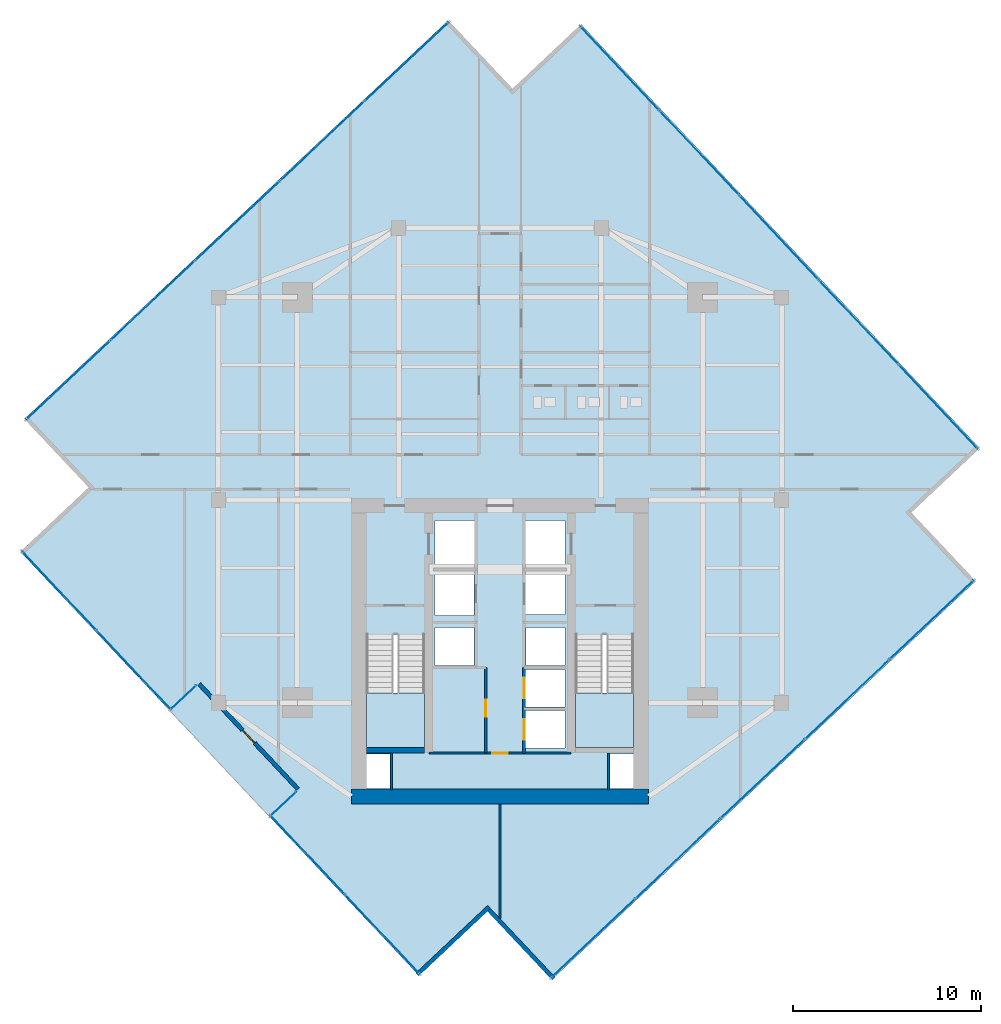
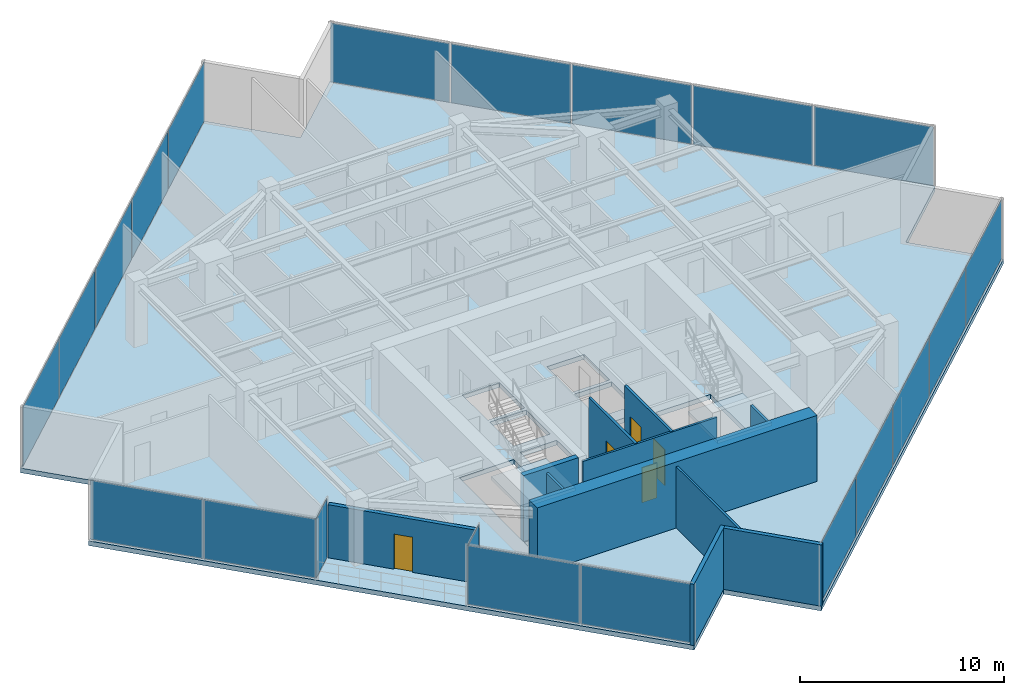
# One storey, part 20 of 24: 21 plates, 11 walls, 5 doors, 3 slabs, 5 openings, 9 elements without a shape of their own.
"""IFC4 building model written with IfcOpenShell, lengths in metres."""

from ifc_helpers import new_model, si_unit, direction, frame, frame_2d, origin, origin_2d, place, context, subcontext, project, spatial, polyline, rectangle, outline, extrude, source, transform, mapped, material, layer, layer_set, type_object, type_shapes, element, fill, aggregate, save


model = new_model("IFC4")

# Units and contexts
model_context = context("Model", 3, precision=1e-05, world=origin(), true_north=direction((0.0, 1.0)))
body_context = subcontext(model_context, "Body", "Model", "MODEL_VIEW")
ifc_project = project(units=[si_unit("LENGTHUNIT", "METRE"), si_unit("AREAUNIT", "SQUARE_METRE"), si_unit("VOLUMEUNIT", "CUBIC_METRE"), si_unit("PLANEANGLEUNIT", "RADIAN"), si_unit("MASSUNIT", "GRAM", prefix="KILO")], contexts=[model_context])

# Site, building, storey
site_placement = place(None, origin())
site = spatial("IfcSite", under=ifc_project, at=site_placement, CompositionType="ELEMENT")
building_placement = place(site_placement, origin())
building = spatial("IfcBuilding", under=site, at=building_placement, Name="Krantzveldt Concourse Tower", CompositionType="ELEMENT")
storey_placement = place(building_placement, frame((0.0, 0.0, 246.800048828125)))
storey = spatial("IfcBuildingStorey", under=building, at=storey_placement, Name="L60", CompositionType="ELEMENT", Elevation=246.800048828125)

# Stair, slab
ifc_material_1 = material(Name="Precast concrete C40/50", Category="concrete")
stair_type = type_object("IfcStairType", Name="STR-CORE-DOGLEG", PredefinedType="HALF_TURN_STAIR", material=ifc_material_1)
stair_1_placement = place(storey_placement, origin())
stair_1 = element("IfcStair", 1, at=stair_1_placement, inside=storey, type_object=stair_type, Name="L60 Protected Escape Stair ST-1", PredefinedType="HALF_TURN_STAIR")
ifc_layer_1 = layer(ifc_material_1, 0.199951171875, Name="Precast concrete C40/50", Category="concrete")
ifc_layer_set_1 = layer_set([ifc_layer_1], Name="Precast concrete C40/50 (SL-LANDING-200)")
slab_type_1 = type_object("IfcSlabType", Name="SL-LANDING-200", PredefinedType="LANDING", material=ifc_layer_set_1)
slab_1_placement = place(storey_placement, frame((0.0, 0.0, 1.77490234375)))
slab_1 = element("IfcSlab", 2, at=slab_1_placement, type_object=slab_type_1, Name="ST-1 landing 1", PredefinedType="LANDING", context=body_context, shape_type="SweptSolid", body=[
    extrude(outline(polyline([(28.8798828125, 16.4150390625), (28.8798828125, 13.52001953125), (31.97998046875, 13.52001953125), (31.97998046875, 16.4150390625), (28.8798828125, 16.4150390625)])), origin(), (0.0, 0.0, 1.0), 0.199951171875),
])
aggregate(stair_1, [slab_1])

stair_2_placement = place(storey_placement, origin())
stair_2 = element("IfcStair", 3, at=stair_2_placement, inside=storey, type_object=stair_type, Name="L60 Protected Escape Stair ST-2", PredefinedType="HALF_TURN_STAIR")
slab_2_placement = place(storey_placement, frame((0.0, 0.0, 1.77490234375)))
slab_2 = element("IfcSlab", 4, at=slab_2_placement, type_object=slab_type_1, Name="ST-2 landing 1", PredefinedType="LANDING", context=body_context, shape_type="SweptSolid", body=[
    extrude(outline(polyline([(40.02001953125, 16.4150390625), (40.02001953125, 13.52001953125), (43.1201171875, 13.52001953125), (43.1201171875, 16.4150390625), (40.02001953125, 16.4150390625)])), origin(), (0.0, 0.0, 1.0), 0.199951171875),
])
aggregate(stair_2, [slab_2])

# Slab
ifc_material_2 = material(Name="Concrete C40/50", Category="concrete")
ifc_layer_2 = layer(ifc_material_2, 0.280029296875, Name="Concrete C40/50", Category="concrete")
ifc_layer_set_2 = layer_set([ifc_layer_2], Name="Concrete C40/50 (SL-SL-TER280)")
slab_type_2 = type_object("IfcSlabType", Name="SL-SL-TER280", PredefinedType="FLOOR", material=ifc_layer_set_2)
slab_3_placement = place(storey_placement, frame((0.0, 0.0, -0.280029296875)))
element("IfcSlab", 5, at=slab_3_placement, inside=storey, type_object=slab_type_2, Name="SL-L60-MAIN", PredefinedType="FLOOR", context=body_context, shape_type="SweptSolid", body=[
    extrude(outline(polyline([(36.66943359375, 48.610107421875), (33.243408203125, 52.251953125), (10.6640625, 31.01123046875), (14.08984375, 27.369384765625), (10.447998046875, 23.943603515625), (31.688720703125, 1.364013671875), (35.33056640625, 4.789794921875), (38.756591796875, 1.14794921875), (61.3359375, 22.388671875), (57.91015625, 26.030517578125), (61.552001953125, 29.45654296875), (40.311279296875, 52.035888671875), (36.66943359375, 48.610107421875)]), holes=[polyline([(28.8798828125, 19.547607421875), (28.8798828125, 13.52001953125), (31.97998046875, 13.52001953125), (31.97998046875, 19.547607421875), (28.8798828125, 19.547607421875)]), polyline([(40.02001953125, 19.547607421875), (40.02001953125, 13.52001953125), (43.1201171875, 13.52001953125), (43.1201171875, 19.547607421875), (40.02001953125, 19.547607421875)]), polyline([(32.550048828125, 23.10009765625), (34.64990234375, 23.10009765625), (34.64990234375, 25.60009765625), (32.550048828125, 25.60009765625), (32.550048828125, 23.10009765625)]), polyline([(37.35009765625, 23.10009765625), (39.449951171875, 23.10009765625), (39.449951171875, 25.60009765625), (37.35009765625, 25.60009765625), (37.35009765625, 23.10009765625)]), polyline([(37.35009765625, 20.60009765625), (39.449951171875, 20.60009765625), (39.449951171875, 22.89990234375), (37.35009765625, 22.89990234375), (37.35009765625, 20.60009765625)]), polyline([(37.35009765625, 13.47998046875), (39.449951171875, 13.47998046875), (39.449951171875, 15.47998046875), (37.35009765625, 15.47998046875), (37.35009765625, 13.47998046875)]), polyline([(37.35009765625, 15.679931640625), (39.449951171875, 15.679931640625), (39.449951171875, 17.679931640625), (37.35009765625, 17.679931640625), (37.35009765625, 15.679931640625)]), polyline([(32.550048828125, 20.550048828125), (34.6201171875, 20.550048828125), (34.6201171875, 22.89990234375), (32.550048828125, 22.89990234375), (32.550048828125, 20.550048828125)]), polyline([(32.550048828125, 17.8798828125), (34.6201171875, 17.8798828125), (34.6201171875, 19.919921875), (32.550048828125, 19.919921875), (32.550048828125, 17.8798828125)]), polyline([(37.3798828125, 17.8798828125), (39.449951171875, 17.8798828125), (39.449951171875, 19.919921875), (37.3798828125, 19.919921875), (37.3798828125, 17.8798828125)]), polyline([(28.8798828125, 11.320068359375), (30.139892578125, 11.320068359375), (30.139892578125, 13.159912109375), (28.8798828125, 13.159912109375), (28.8798828125, 11.320068359375)]), polyline([(41.860107421875, 11.320068359375), (43.1201171875, 11.320068359375), (43.1201171875, 13.159912109375), (41.860107421875, 13.159912109375), (41.860107421875, 11.320068359375)])]), origin(), (0.0, 0.0, 1.0), 0.280029296875),
])

# Curtain wall, plate
ifc_material_3 = material(Name="Anodised aluminium 6063-T6", Category="aluminium")
curtain_wall_type_1 = type_object("IfcCurtainWallType", Name="CW6", PredefinedType="USERDEFINED", material=ifc_material_3)
curtain_wall_1_placement = place(storey_placement, origin())
curtain_wall_1 = element("IfcCurtainWall", 6, at=curtain_wall_1_placement, inside=storey, type_object=curtain_wall_type_1, Name="CW-L60-TR05", ObjectType="UNITISED CURTAIN WALL", PredefinedType="USERDEFINED")
ifc_material_4 = material(Name="Bronze-tinted laminated low-E IGU glass", Category="glass")
ifc_layer_3 = layer(ifc_material_4, 0.031982421875, Name="Bronze-tinted laminated low-E IGU glass", Category="glass")
ifc_layer_set_3 = layer_set([ifc_layer_3], Name="Bronze-tinted laminated low-E IGU glass (CW-GLZ-32)")
plate_type = type_object("IfcPlateType", Name="CW-GLZ-32", PredefinedType="CURTAIN_PANEL", material=ifc_layer_set_3)
shared_shape_1 = source(origin(), body_context, "Body", "SweptSolid", [
    extrude(rectangle(XDim=1.860107421875, YDim=0.031982421875, at=origin_2d()), origin(), (0.0, 0.0, 1.0), 3.530029296875),
])
plate_1_placement = place(storey_placement, frame((19.13134765625, 16.17236328125, 0.06982421875), z_axis=(0.0, 0.0, 1.0), x_axis=(0.728372006928, 0.685181887913, 0.0)))
plate_1 = element("IfcPlate", 7, at=plate_1_placement, type_object=plate_type, Name="CW-TERR panel 1.1", PredefinedType="CURTAIN_PANEL", context=body_context, shape_type="MappedRepresentation", body=[
    mapped(shared_shape_1, transform((0.0, 0.0, 0.0), x_axis=(1.0, 0.0, 0.0), y_axis=(0.0, 1.0, 0.0), z_axis=(0.0, 0.0, 1.0), scale=1.0)),
])
aggregate(curtain_wall_1, [plate_1])

curtain_wall_2_placement = place(storey_placement, origin())
curtain_wall_2 = element("IfcCurtainWall", 8, at=curtain_wall_2_placement, inside=storey, type_object=curtain_wall_type_1, Name="CW-L60-TR07", ObjectType="UNITISED CURTAIN WALL", PredefinedType="USERDEFINED")
plate_2_placement = place(storey_placement, frame((24.462158203125, 10.505615234375, 0.06982421875), z_axis=(0.0, 0.0, 1.0), x_axis=(-0.728372006928, -0.685181887913, 0.0)))
plate_2 = element("IfcPlate", 9, at=plate_2_placement, type_object=plate_type, Name="CW-TERR panel 1.1", PredefinedType="CURTAIN_PANEL", context=body_context, shape_type="MappedRepresentation", body=[
    mapped(shared_shape_1, transform((0.0, 0.0, 0.0), x_axis=(1.0, 0.0, 0.0), y_axis=(0.0, 1.0, 0.0), z_axis=(0.0, 0.0, 1.0), scale=1.0)),
])
aggregate(curtain_wall_2, [plate_2])

# Curtain wall, plates
curtain_wall_type_2 = type_object("IfcCurtainWallType", Name="CW3", PredefinedType="USERDEFINED", material=ifc_material_3)
curtain_wall_3_placement = place(storey_placement, origin())
curtain_wall_3 = element("IfcCurtainWall", 10, at=curtain_wall_3_placement, inside=storey, type_object=curtain_wall_type_2, Name="CW-L60-F01", ObjectType="UNITISED CURTAIN WALL", PredefinedType="USERDEFINED")
shared_shape_2 = source(origin(), body_context, "Body", "SweptSolid", [
    extrude(rectangle(XDim=6.094970703125, YDim=0.031982421875, at=origin_2d()), origin(), (0.0, 0.0, 1.0), 3.530029296875),
])
plate_3_placement = place(storey_placement, frame((31.034423828125, 50.05029296875, 0.06982421875), z_axis=(0.0, 0.0, 1.0), x_axis=(-0.728371012348, -0.685182945184, 0.0)))
plate_3 = element("IfcPlate", 11, at=plate_3_placement, type_object=plate_type, Name="CW-Z34 panel 1.1", PredefinedType="CURTAIN_PANEL", context=body_context, shape_type="MappedRepresentation", body=[
    mapped(shared_shape_2, transform((0.0, 0.0, 0.0), x_axis=(1.0, 0.0, 0.0), y_axis=(0.0, 1.0, 0.0), z_axis=(0.0, 0.0, 1.0), scale=1.0)),
])
plate_4_placement = place(storey_placement, frame((12.996337890625, 33.081787109375, 0.06982421875), z_axis=(0.0, 0.0, 1.0), x_axis=(-0.728371012348, -0.685182945184, 0.0)))
plate_4 = element("IfcPlate", 12, at=plate_4_placement, type_object=plate_type, Name="CW-Z34 panel 5.1", PredefinedType="CURTAIN_PANEL", context=body_context, shape_type="MappedRepresentation", body=[
    mapped(shared_shape_2, transform((0.0, 0.0, 0.0), x_axis=(1.0, 0.0, 0.0), y_axis=(0.0, 1.0, 0.0), z_axis=(0.0, 0.0, 1.0), scale=1.0)),
])

curtain_wall_4_placement = place(storey_placement, origin())
curtain_wall_4 = element("IfcCurtainWall", 13, at=curtain_wall_4_placement, inside=storey, type_object=curtain_wall_type_2, Name="CW-L60-F11", ObjectType="UNITISED CURTAIN WALL", PredefinedType="USERDEFINED")
plate_5_placement = place(storey_placement, frame((40.965576171875, 3.349609375, 0.06982421875), z_axis=(0.0, 0.0, 1.0), x_axis=(0.728371012348, 0.685182945184, 0.0)))
plate_5 = element("IfcPlate", 14, at=plate_5_placement, type_object=plate_type, Name="CW-Z34 panel 1.1", PredefinedType="CURTAIN_PANEL", context=body_context, shape_type="MappedRepresentation", body=[
    mapped(shared_shape_2, transform((0.0, 0.0, 0.0), x_axis=(1.0, 0.0, 0.0), y_axis=(0.0, 1.0, 0.0), z_axis=(0.0, 0.0, 1.0), scale=1.0)),
])
plate_6_placement = place(storey_placement, frame((59.003662109375, 20.318115234375, 0.06982421875), z_axis=(0.0, 0.0, 1.0), x_axis=(0.728371012348, 0.685182945184, 0.0)))
plate_6 = element("IfcPlate", 15, at=plate_6_placement, type_object=plate_type, Name="CW-Z34 panel 5.1", PredefinedType="CURTAIN_PANEL", context=body_context, shape_type="MappedRepresentation", body=[
    mapped(shared_shape_2, transform((0.0, 0.0, 0.0), x_axis=(1.0, 0.0, 0.0), y_axis=(0.0, 1.0, 0.0), z_axis=(0.0, 0.0, 1.0), scale=1.0)),
])

curtain_wall_5_placement = place(storey_placement, origin())
curtain_wall_5 = element("IfcCurtainWall", 16, at=curtain_wall_5_placement, inside=storey, type_object=curtain_wall_type_2, Name="CW-L60-F14", ObjectType="UNITISED CURTAIN WALL", PredefinedType="USERDEFINED")
plate_7_placement = place(storey_placement, frame((59.350341796875, 31.66552734375, 0.06982421875), z_axis=(0.0, 0.0, 1.0), x_axis=(-0.685182945184, 0.728371012348, 0.0)))
plate_7 = element("IfcPlate", 17, at=plate_7_placement, type_object=plate_type, Name="CW-Z34 panel 1.1", PredefinedType="CURTAIN_PANEL", context=body_context, shape_type="MappedRepresentation", body=[
    mapped(shared_shape_2, transform((0.0, 0.0, 0.0), x_axis=(1.0, 0.0, 0.0), y_axis=(0.0, 1.0, 0.0), z_axis=(0.0, 0.0, 1.0), scale=1.0)),
])
plate_8_placement = place(storey_placement, frame((42.3818359375, 49.70361328125, 0.06982421875), z_axis=(0.0, 0.0, 1.0), x_axis=(-0.685182945184, 0.728371012348, 0.0)))
plate_8 = element("IfcPlate", 18, at=plate_8_placement, type_object=plate_type, Name="CW-Z34 panel 5.1", PredefinedType="CURTAIN_PANEL", context=body_context, shape_type="MappedRepresentation", body=[
    mapped(shared_shape_2, transform((0.0, 0.0, 0.0), x_axis=(1.0, 0.0, 0.0), y_axis=(0.0, 1.0, 0.0), z_axis=(0.0, 0.0, 1.0), scale=1.0)),
])

# Plate
shared_shape_3 = source(origin(), body_context, "Body", "SweptSolid", [
    extrude(rectangle(XDim=6.1298828125, YDim=0.031982421875, at=origin_2d()), origin(), (0.0, 0.0, 1.0), 3.530029296875),
])
plate_9_placement = place(storey_placement, frame((26.53125, 45.814208984375, 0.06982421875), z_axis=(0.0, 0.0, 1.0), x_axis=(-0.728371012348, -0.685182945184, 0.0)))
plate_9 = element("IfcPlate", 19, at=plate_9_placement, type_object=plate_type, Name="CW-Z34 panel 2.1", PredefinedType="CURTAIN_PANEL", context=body_context, shape_type="MappedRepresentation", body=[
    mapped(shared_shape_3, transform((0.0, 0.0, 0.0), x_axis=(1.0, 0.0, 0.0), y_axis=(0.0, 1.0, 0.0), z_axis=(0.0, 0.0, 1.0), scale=1.0)),
])

plate_10_placement = place(storey_placement, frame((22.015380859375, 41.566162109375, 0.06982421875), z_axis=(0.0, 0.0, 1.0), x_axis=(-0.728371012348, -0.685182945184, 0.0)))
plate_10 = element("IfcPlate", 20, at=plate_10_placement, type_object=plate_type, Name="CW-Z34 panel 3.1", PredefinedType="CURTAIN_PANEL", context=body_context, shape_type="MappedRepresentation", body=[
    mapped(shared_shape_3, transform((0.0, 0.0, 0.0), x_axis=(1.0, 0.0, 0.0), y_axis=(0.0, 1.0, 0.0), z_axis=(0.0, 0.0, 1.0), scale=1.0)),
])

plate_11_placement = place(storey_placement, frame((17.49951171875, 37.31787109375, 0.06982421875), z_axis=(0.0, 0.0, 1.0), x_axis=(-0.728371012348, -0.685182945184, 0.0)))
plate_11 = element("IfcPlate", 21, at=plate_11_placement, type_object=plate_type, Name="CW-Z34 panel 4.1", PredefinedType="CURTAIN_PANEL", context=body_context, shape_type="MappedRepresentation", body=[
    mapped(shared_shape_3, transform((0.0, 0.0, 0.0), x_axis=(1.0, 0.0, 0.0), y_axis=(0.0, 1.0, 0.0), z_axis=(0.0, 0.0, 1.0), scale=1.0)),
])

aggregate(curtain_wall_3, [plate_3, plate_9, plate_10, plate_11, plate_4])

plate_12_placement = place(storey_placement, frame((45.46875, 7.585693359375, 0.06982421875), z_axis=(0.0, 0.0, 1.0), x_axis=(0.728371012348, 0.685182945184, 0.0)))
plate_12 = element("IfcPlate", 22, at=plate_12_placement, type_object=plate_type, Name="CW-Z34 panel 2.1", PredefinedType="CURTAIN_PANEL", context=body_context, shape_type="MappedRepresentation", body=[
    mapped(shared_shape_3, transform((0.0, 0.0, 0.0), x_axis=(1.0, 0.0, 0.0), y_axis=(0.0, 1.0, 0.0), z_axis=(0.0, 0.0, 1.0), scale=1.0)),
])

plate_13_placement = place(storey_placement, frame((49.984619140625, 11.833984375, 0.06982421875), z_axis=(0.0, 0.0, 1.0), x_axis=(0.728371012348, 0.685182945184, 0.0)))
plate_13 = element("IfcPlate", 23, at=plate_13_placement, type_object=plate_type, Name="CW-Z34 panel 3.1", PredefinedType="CURTAIN_PANEL", context=body_context, shape_type="MappedRepresentation", body=[
    mapped(shared_shape_3, transform((0.0, 0.0, 0.0), x_axis=(1.0, 0.0, 0.0), y_axis=(0.0, 1.0, 0.0), z_axis=(0.0, 0.0, 1.0), scale=1.0)),
])

plate_14_placement = place(storey_placement, frame((54.50048828125, 16.08203125, 0.06982421875), z_axis=(0.0, 0.0, 1.0), x_axis=(0.728371012348, 0.685182945184, 0.0)))
plate_14 = element("IfcPlate", 24, at=plate_14_placement, type_object=plate_type, Name="CW-Z34 panel 4.1", PredefinedType="CURTAIN_PANEL", context=body_context, shape_type="MappedRepresentation", body=[
    mapped(shared_shape_3, transform((0.0, 0.0, 0.0), x_axis=(1.0, 0.0, 0.0), y_axis=(0.0, 1.0, 0.0), z_axis=(0.0, 0.0, 1.0), scale=1.0)),
])

aggregate(curtain_wall_4, [plate_5, plate_12, plate_13, plate_14, plate_6])

plate_15_placement = place(storey_placement, frame((55.1142578125, 36.168701171875, 0.06982421875), z_axis=(0.0, 0.0, 1.0), x_axis=(-0.685182945184, 0.728371012348, 0.0)))
plate_15 = element("IfcPlate", 25, at=plate_15_placement, type_object=plate_type, Name="CW-Z34 panel 2.1", PredefinedType="CURTAIN_PANEL", context=body_context, shape_type="MappedRepresentation", body=[
    mapped(shared_shape_3, transform((0.0, 0.0, 0.0), x_axis=(1.0, 0.0, 0.0), y_axis=(0.0, 1.0, 0.0), z_axis=(0.0, 0.0, 1.0), scale=1.0)),
])

plate_16_placement = place(storey_placement, frame((50.865966796875, 40.6845703125, 0.06982421875), z_axis=(0.0, 0.0, 1.0), x_axis=(-0.685182945184, 0.728371012348, 0.0)))
plate_16 = element("IfcPlate", 26, at=plate_16_placement, type_object=plate_type, Name="CW-Z34 panel 3.1", PredefinedType="CURTAIN_PANEL", context=body_context, shape_type="MappedRepresentation", body=[
    mapped(shared_shape_3, transform((0.0, 0.0, 0.0), x_axis=(1.0, 0.0, 0.0), y_axis=(0.0, 1.0, 0.0), z_axis=(0.0, 0.0, 1.0), scale=1.0)),
])

plate_17_placement = place(storey_placement, frame((46.617919921875, 45.200439453125, 0.06982421875), z_axis=(0.0, 0.0, 1.0), x_axis=(-0.685182945184, 0.728371012348, 0.0)))
plate_17 = element("IfcPlate", 27, at=plate_17_placement, type_object=plate_type, Name="CW-Z34 panel 4.1", PredefinedType="CURTAIN_PANEL", context=body_context, shape_type="MappedRepresentation", body=[
    mapped(shared_shape_3, transform((0.0, 0.0, 0.0), x_axis=(1.0, 0.0, 0.0), y_axis=(0.0, 1.0, 0.0), z_axis=(0.0, 0.0, 1.0), scale=1.0)),
])

aggregate(curtain_wall_5, [plate_7, plate_15, plate_16, plate_17, plate_8])

# Curtain wall, plates
curtain_wall_6_placement = place(storey_placement, origin())
curtain_wall_6 = element("IfcCurtainWall", 28, at=curtain_wall_6_placement, inside=storey, type_object=curtain_wall_type_2, Name="CW-L60-F04", ObjectType="UNITISED CURTAIN WALL", PredefinedType="USERDEFINED")
shared_shape_4 = source(origin(), body_context, "Body", "SweptSolid", [
    extrude(rectangle(XDim=5.7451171875, YDim=0.031982421875, at=origin_2d()), origin(), (0.0, 0.0, 1.0), 3.530029296875),
])
type_shapes(plate_type, [shared_shape_1, shared_shape_2, shared_shape_3, shared_shape_4])
plate_18_placement = place(storey_placement, frame((12.52978515625, 21.862060546875, 0.06982421875), z_axis=(0.0, 0.0, 1.0), x_axis=(0.685182960414, -0.728370998021, 0.0)))
plate_18 = element("IfcPlate", 29, at=plate_18_placement, type_object=plate_type, Name="CW-Z34 panel 1.1", PredefinedType="CURTAIN_PANEL", context=body_context, shape_type="MappedRepresentation", body=[
    mapped(shared_shape_4, transform((0.0, 0.0, 0.0), x_axis=(1.0, 0.0, 0.0), y_axis=(0.0, 1.0, 0.0), z_axis=(0.0, 0.0, 1.0), scale=1.0)),
])
plate_19_placement = place(storey_placement, frame((16.51416015625, 17.62646484375, 0.06982421875), z_axis=(0.0, 0.0, 1.0), x_axis=(0.685182960414, -0.728370998021, 0.0)))
plate_19 = element("IfcPlate", 30, at=plate_19_placement, type_object=plate_type, Name="CW-Z34 panel 2.1", PredefinedType="CURTAIN_PANEL", context=body_context, shape_type="MappedRepresentation", body=[
    mapped(shared_shape_4, transform((0.0, 0.0, 0.0), x_axis=(1.0, 0.0, 0.0), y_axis=(0.0, 1.0, 0.0), z_axis=(0.0, 0.0, 1.0), scale=1.0)),
])
aggregate(curtain_wall_6, [plate_18, plate_19])

curtain_wall_7_placement = place(storey_placement, origin())
curtain_wall_7 = element("IfcCurtainWall", 31, at=curtain_wall_7_placement, inside=storey, type_object=curtain_wall_type_2, Name="CW-L60-F08", ObjectType="UNITISED CURTAIN WALL", PredefinedType="USERDEFINED")
plate_20_placement = place(storey_placement, frame((25.75390625, 7.804443359375, 0.06982421875), z_axis=(0.0, 0.0, 1.0), x_axis=(0.685182960414, -0.728370998021, 0.0)))
plate_20 = element("IfcPlate", 32, at=plate_20_placement, type_object=plate_type, Name="CW-Z34 panel 1.1", PredefinedType="CURTAIN_PANEL", context=body_context, shape_type="MappedRepresentation", body=[
    mapped(shared_shape_4, transform((0.0, 0.0, 0.0), x_axis=(1.0, 0.0, 0.0), y_axis=(0.0, 1.0, 0.0), z_axis=(0.0, 0.0, 1.0), scale=1.0)),
])
plate_21_placement = place(storey_placement, frame((29.738037109375, 3.56884765625, 0.06982421875), z_axis=(0.0, 0.0, 1.0), x_axis=(0.685182960414, -0.728370998021, 0.0)))
plate_21 = element("IfcPlate", 33, at=plate_21_placement, type_object=plate_type, Name="CW-Z34 panel 2.1", PredefinedType="CURTAIN_PANEL", context=body_context, shape_type="MappedRepresentation", body=[
    mapped(shared_shape_4, transform((0.0, 0.0, 0.0), x_axis=(1.0, 0.0, 0.0), y_axis=(0.0, 1.0, 0.0), z_axis=(0.0, 0.0, 1.0), scale=1.0)),
])
aggregate(curtain_wall_7, [plate_20, plate_21])

# Wall, opening, door
ifc_layer_4 = layer(ifc_material_3, 0.219970703125, Name="Anodised aluminium 6063-T6", Category="aluminium")
ifc_layer_set_4 = layer_set([ifc_layer_4], Name="Anodised aluminium 6063-T6 (WL-EXT-NOTCH220)")
wall_type_1 = type_object("IfcWallType", Name="WL-EXT-NOTCH220", PredefinedType="ELEMENTEDWALL", material=ifc_layer_set_4)
wall_1_placement = place(storey_placement, frame((25.23974609375, 11.298828125, 0.0), z_axis=(0.0, 0.0, 1.0), x_axis=(-0.685172559646, 0.728380781946, 0.0)))
wall_1 = element("IfcWall", 34, at=wall_1_placement, inside=storey, type_object=wall_type_1, Name="EW-L60-TSLOT", PredefinedType="ELEMENTEDWALL", context=body_context, shape_type="SweptSolid", body=[
    extrude(rectangle(XDim=7.690185546875, YDim=0.219970703125, at=frame_2d((3.84521484375, 0.0))), origin(), (0.0, 0.0, 1.0), 3.179931640625),
])
opening_1_placement = place(wall_1_placement, frame((3.3701171875, 0.0, 0.0)))
opening_1 = element("IfcOpeningElement", 35, at=opening_1_placement, cuts=wall_1, Name="Opening D-EX95", PredefinedType="OPENING", context=body_context, shape_type="SweptSolid", body=[
    extrude(rectangle(XDim=0.949951171875, YDim=2.10009765625, at=frame_2d((0.47509765625, 1.050048828125))), frame((0.0, 0.1201171875, 0.0), z_axis=(0.0, -1.0, 0.0), x_axis=(1.0, 0.0, 0.0)), (0.0, 0.0, 1.0), 0.239990234375),
])
door_type_1 = type_object("IfcDoorType", Name="DR-EXT-950", OperationType="SINGLE_SWING_LEFT", PredefinedType="DOOR", material=ifc_material_3)
door_1_placement = place(opening_1_placement, origin())
door_1 = element("IfcDoor", 36, at=door_1_placement, inside=storey, type_object=door_type_1, Name="DR-L60-TERR", OperationType="SINGLE_SWING_LEFT", OverallHeight=2.10009765625, OverallWidth=0.949951171875, PredefinedType="DOOR", context=body_context, shape_type="SweptSolid", body=[
    extrude(rectangle(XDim=0.949951171875, YDim=2.10009765625, at=frame_2d((0.47509765625, 1.050048828125))), frame((0.0, 0.02490234375, 0.0), z_axis=(0.0, -1.0, 0.0), x_axis=(1.0, 0.0, 0.0)), (0.0, 0.0, 1.0), 0.050048828125),
])
fill(opening_1, door_1)

# Walls
wall_2_placement = place(storey_placement, frame((31.59521484375, 1.427001953125, 0.0), z_axis=(0.0, 0.0, 1.0), x_axis=(0.728374884992, 0.685178828418, 0.0)))
element("IfcWall", 37, at=wall_2_placement, inside=storey, type_object=wall_type_1, Name="EW-L60-NCH09", PredefinedType="ELEMENTEDWALL", context=body_context, shape_type="SweptSolid", body=[
    extrude(rectangle(XDim=5.244873046875, YDim=0.219970703125, at=frame_2d((2.62255859375, 0.0))), origin(), (0.0, 0.0, 1.0), 3.669921875),
])
wall_3_placement = place(storey_placement, frame((35.41064453125, 4.865234375, 0.0), z_axis=(0.0, 0.0, 1.0), x_axis=(0.685205552999, -0.728349744381, 0.0)))
element("IfcWall", 38, at=wall_3_placement, inside=storey, type_object=wall_type_1, Name="EW-L60-NCH10", PredefinedType="ELEMENTEDWALL", context=body_context, shape_type="SweptSolid", body=[
    extrude(rectangle(XDim=5.02490234375, YDim=0.219970703125, at=frame_2d((2.512451171875, 0.0))), origin(), (0.0, 0.0, 1.0), 3.669921875),
])

# Wall, opening, door
ifc_material_5 = material(Name="Fire-rated gypsum plasterboard on steel stud", Category="steel")
ifc_layer_5 = layer(ifc_material_5, 0.1201171875, Name="Fire-rated gypsum plasterboard on steel stud", Category="steel")
ifc_layer_set_5 = layer_set([ifc_layer_5], Name="Fire-rated gypsum plasterboard on steel stud (WL-PART-120)")
wall_type_2 = type_object("IfcWallType", Name="WL-PART-120", PredefinedType="PARTITIONING", material=ifc_layer_set_5)
wall_4_placement = place(storey_placement, frame((32.2099609375, 13.219970703125, 0.0), z_axis=(0.0, 0.0, 1.0), x_axis=(1.0, 0.0, 0.0)))
wall_4 = element("IfcWall", 39, at=wall_4_placement, inside=storey, type_object=wall_type_2, Name="WP-L60-CS2H", PredefinedType="PARTITIONING", context=body_context, shape_type="SweptSolid", body=[
    extrude(rectangle(XDim=7.580078125, YDim=0.1201171875, at=frame_2d((3.7900390625, 0.0))), origin(), (0.0, 0.0, 1.0), 3.669921875),
])
opening_2_placement = place(wall_4_placement, frame((3.364990234375, 0.0, 0.0)))
opening_2 = element("IfcOpeningElement", 40, at=opening_2_placement, cuts=wall_4, Name="Opening D-IN085", PredefinedType="OPENING", context=body_context, shape_type="SweptSolid", body=[
    extrude(rectangle(XDim=0.85009765625, YDim=2.10009765625, at=frame_2d((0.425048828125, 1.050048828125))), frame((0.0, 0.070068359375, 0.0), z_axis=(0.0, -1.0, 0.0), x_axis=(1.0, 0.0, 0.0)), (0.0, 0.0, 1.0), 0.14013671875),
])
ifc_material_6 = material(Name="Hardwood timber", Category="wood")
door_type_2 = type_object("IfcDoorType", Name="DR-INT-850", OperationType="SINGLE_SWING_LEFT", PredefinedType="DOOR", material=ifc_material_6)
door_2_placement = place(opening_2_placement, origin())
door_2 = element("IfcDoor", 41, at=door_2_placement, inside=storey, type_object=door_type_2, Name="DR-L60-CSC1", OperationType="SINGLE_SWING_RIGHT", OverallHeight=2.10009765625, OverallWidth=0.85009765625, PredefinedType="DOOR", context=body_context, shape_type="SweptSolid", body=[
    extrude(rectangle(XDim=0.85009765625, YDim=2.10009765625, at=frame_2d((0.425048828125, 1.050048828125))), frame((0.0, 0.02490234375, 0.0), z_axis=(0.0, -1.0, 0.0), x_axis=(1.0, 0.0, 0.0)), (0.0, 0.0, 1.0), 0.050048828125),
])
fill(opening_2, door_2)

# Wall
wall_5_placement = place(storey_placement, frame((36.0, 4.40673828125, 0.0), z_axis=(0.0, 0.0, 1.0), x_axis=(0.0, 1.0, 0.0)))
element("IfcWall", 42, at=wall_5_placement, inside=storey, type_object=wall_type_2, Name="WP-L60-SMID", PredefinedType="PARTITIONING", context=body_context, shape_type="SweptSolid", body=[
    extrude(rectangle(XDim=6.09326171875, YDim=0.1201171875, at=frame_2d((3.046630859375, 0.0))), origin(), (0.0, 0.0, 1.0), 3.669921875),
])

# Wall, opening, door
ifc_layer_6 = layer(ifc_material_5, 0.139892578125, Name="Fire-rated gypsum plasterboard on steel stud", Category="steel")
ifc_layer_set_6 = layer_set([ifc_layer_6], Name="Fire-rated gypsum plasterboard on steel stud (WL-PART-FR140)")
wall_type_3 = type_object("IfcWallType", Name="WL-PART-FR140", PredefinedType="PARTITIONING", material=ifc_layer_set_6)
wall_6_placement = place(storey_placement, frame((35.25, 13.219970703125, 0.0), z_axis=(0.0, 0.0, 1.0), x_axis=(0.0, 1.0, 0.0)))
wall_6 = element("IfcWall", 43, at=wall_6_placement, inside=storey, type_object=wall_type_3, Name="WP-L60-RECW", PredefinedType="PARTITIONING", context=body_context, shape_type="SweptSolid", body=[
    extrude(rectangle(XDim=4.56005859375, YDim=0.139892578125, at=frame_2d((2.280029296875, 0.0))), origin(), (0.0, 0.0, 1.0), 3.669921875),
])
opening_3_placement = place(wall_6_placement, frame((1.929931640625, 0.0, 0.0)))
opening_3 = element("IfcOpeningElement", 44, at=opening_3_placement, cuts=wall_6, Name="Opening D-FD090", PredefinedType="OPENING", context=body_context, shape_type="SweptSolid", body=[
    extrude(rectangle(XDim=0.89990234375, YDim=2.10009765625, at=frame_2d((0.449951171875, 1.050048828125))), frame((0.0, 0.080078125, 0.0), z_axis=(0.0, -1.0, 0.0), x_axis=(1.0, 0.0, 0.0)), (0.0, 0.0, 1.0), 0.159912109375),
])
door_type_3 = type_object("IfcDoorType", Name="DR-FD60-900", OperationType="SINGLE_SWING_LEFT", PredefinedType="DOOR", material=ifc_material_6)
door_3_placement = place(opening_3_placement, origin())
door_3 = element("IfcDoor", 45, at=door_3_placement, inside=storey, type_object=door_type_3, Name="DR-L60-RECW", OperationType="SINGLE_SWING_LEFT", OverallHeight=2.10009765625, OverallWidth=0.89990234375, PredefinedType="DOOR", context=body_context, shape_type="SweptSolid", body=[
    extrude(rectangle(XDim=0.89990234375, YDim=2.10009765625, at=frame_2d((0.449951171875, 1.050048828125))), frame((0.0, 0.02490234375, 0.0), z_axis=(0.0, -1.0, 0.0), x_axis=(1.0, 0.0, 0.0)), (0.0, 0.0, 1.0), 0.050048828125),
])
fill(opening_3, door_3)

# Wall, openings, doors
wall_7_placement = place(storey_placement, frame((37.280029296875, 13.219970703125, 0.0), z_axis=(0.0, 0.0, 1.0), x_axis=(0.0, 1.0, 0.0)))
wall_7 = element("IfcWall", 46, at=wall_7_placement, inside=storey, type_object=wall_type_3, Name="WP-L60-SHSE", PredefinedType="PARTITIONING", context=body_context, shape_type="SweptSolid", body=[
    extrude(rectangle(XDim=4.56005859375, YDim=0.139892578125, at=frame_2d((2.280029296875, 0.0))), origin(), (0.0, 0.0, 1.0), 3.669921875),
])
opening_4_placement = place(wall_7_placement, frame((0.7099609375, 0.0, 0.0)))
opening_4 = element("IfcOpeningElement", 47, at=opening_4_placement, cuts=wall_7, Name="Opening LD", PredefinedType="OPENING", context=body_context, shape_type="SweptSolid", body=[
    extrude(rectangle(XDim=1.10009765625, YDim=2.14990234375, at=frame_2d((0.550048828125, 1.074951171875))), frame((0.0, 0.080078125, 0.0), z_axis=(0.0, -1.0, 0.0), x_axis=(1.0, 0.0, 0.0)), (0.0, 0.0, 1.0), 0.159912109375),
])
opening_5_placement = place(wall_7_placement, frame((2.909912109375, 0.0, 0.0)))
opening_5 = element("IfcOpeningElement", 48, at=opening_5_placement, cuts=wall_7, Name="Opening LD", PredefinedType="OPENING", context=body_context, shape_type="SweptSolid", body=[
    extrude(rectangle(XDim=1.10009765625, YDim=2.14990234375, at=frame_2d((0.550048828125, 1.074951171875))), frame((0.0, 0.080078125, 0.0), z_axis=(0.0, -1.0, 0.0), x_axis=(1.0, 0.0, 0.0)), (0.0, 0.0, 1.0), 0.159912109375),
])
ifc_material_7 = material(Name="Stainless steel 316L", Category="steel")
door_type_4 = type_object("IfcDoorType", Name="DR-SLIDE-LD1100", OperationType="DOUBLE_DOOR_SLIDING", PredefinedType="DOOR", material=ifc_material_7)
door_4_placement = place(opening_4_placement, origin())
door_4 = element("IfcDoor", 49, at=door_4_placement, inside=storey, type_object=door_type_4, Name="LD-L60-PM1", OperationType="DOUBLE_DOOR_SLIDING", OverallHeight=2.14990234375, OverallWidth=1.10009765625, PredefinedType="DOOR", context=body_context, shape_type="SweptSolid", body=[
    extrude(rectangle(XDim=1.10009765625, YDim=2.14990234375, at=frame_2d((0.550048828125, 1.074951171875))), frame((0.0, 0.02490234375, 0.0), z_axis=(0.0, -1.0, 0.0), x_axis=(1.0, 0.0, 0.0)), (0.0, 0.0, 1.0), 0.050048828125),
])
fill(opening_4, door_4)
door_5_placement = place(opening_5_placement, origin())
door_5 = element("IfcDoor", 50, at=door_5_placement, inside=storey, type_object=door_type_4, Name="LD-L60-PM2", OperationType="DOUBLE_DOOR_SLIDING", OverallHeight=2.14990234375, OverallWidth=1.10009765625, PredefinedType="DOOR", context=body_context, shape_type="SweptSolid", body=[
    extrude(rectangle(XDim=1.10009765625, YDim=2.14990234375, at=frame_2d((0.550048828125, 1.074951171875))), frame((0.0, 0.02490234375, 0.0), z_axis=(0.0, -1.0, 0.0), x_axis=(1.0, 0.0, 0.0)), (0.0, 0.0, 1.0), 0.050048828125),
])
fill(opening_5, door_5)

# Walls
for number, where, z_axis, x_axis, name in (
    (51, (30.219970703125, 11.25, 0.0), (0.0, 0.0, 1.0), (0.0, 1.0, 0.0), "WP-L60-RSW"),
    (52, (41.780029296875, 11.25, 0.0), (0.0, 0.0, 1.0), (0.0, 1.0, 0.0), "WP-L60-RSE"),
):
    element("IfcWall", number, at=place(storey_placement, frame(where, z_axis=z_axis, x_axis=x_axis)), inside=storey, type_object=wall_type_3, Name=name, PredefinedType="PARTITIONING", context=body_context, shape_type="SweptSolid", body=[
        extrude(rectangle(XDim=1.969970703125, YDim=0.1201171875, at=frame_2d((0.98486328125, 0.0))), origin(), (0.0, 0.0, 1.0), 3.669921875),
    ])
ifc_material_8 = material(Name="Concrete C50/60", Category="concrete")
ifc_layer_7 = layer(ifc_material_8, 0.300048828125, Name="Concrete C50/60", Category="concrete")
ifc_layer_set_7 = layer_set([ifc_layer_7], Name="Concrete C50/60 (WL-SHEAR-300)")
wall_type_4 = type_object("IfcWallType", Name="WL-SHEAR-300", PredefinedType="SHEAR", material=ifc_layer_set_7)
wall_8_placement = place(storey_placement, frame((28.8798828125, 13.3701171875, 0.0), z_axis=(0.0, 0.0, 1.0), x_axis=(1.0, 0.0, 0.0)))
element("IfcWall", 53, at=wall_8_placement, inside=storey, type_object=wall_type_4, Name="CW-L60-ST1S", PredefinedType="SHEAR", context=body_context, shape_type="SweptSolid", body=[
    extrude(rectangle(XDim=3.10009765625, YDim=0.300048828125, at=frame_2d((1.550048828125, 0.0))), origin(), (0.0, 0.0, 1.0), 3.949951171875),
])
ifc_material_9 = material(Name="Concrete C60/75", Category="concrete")
ifc_layer_8 = layer(ifc_material_9, 0.800048828125, Name="Concrete C60/75", Category="concrete")
ifc_layer_set_8 = layer_set([ifc_layer_8], Name="Concrete C60/75 (WL-SHEAR-800)")
wall_type_5 = type_object("IfcWallType", Name="WL-SHEAR-800", PredefinedType="SHEAR", material=ifc_layer_set_8)
wall_9_placement = place(storey_placement, frame((28.080078125, 10.89990234375, 0.0), z_axis=(0.0, 0.0, 1.0), x_axis=(1.0, 0.0, 0.0)))
element("IfcWall", 54, at=wall_9_placement, inside=storey, type_object=wall_type_5, Name="CW-L60-S", PredefinedType="SHEAR", context=body_context, shape_type="SweptSolid", body=[
    extrude(rectangle(XDim=15.83984375, YDim=0.800048828125, at=frame_2d((7.919921875, 0.0))), origin(), (0.0, 0.0, 1.0), 3.949951171875),
])

save(model, "model.ifc")
